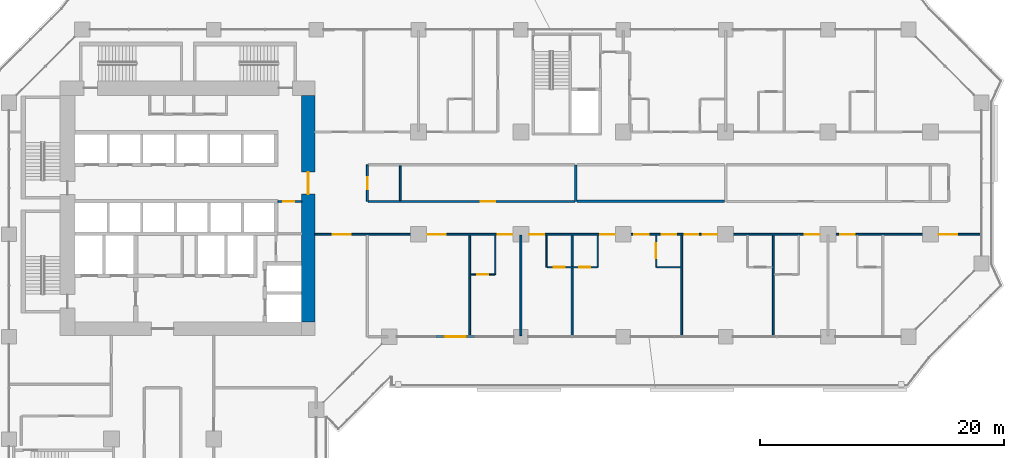
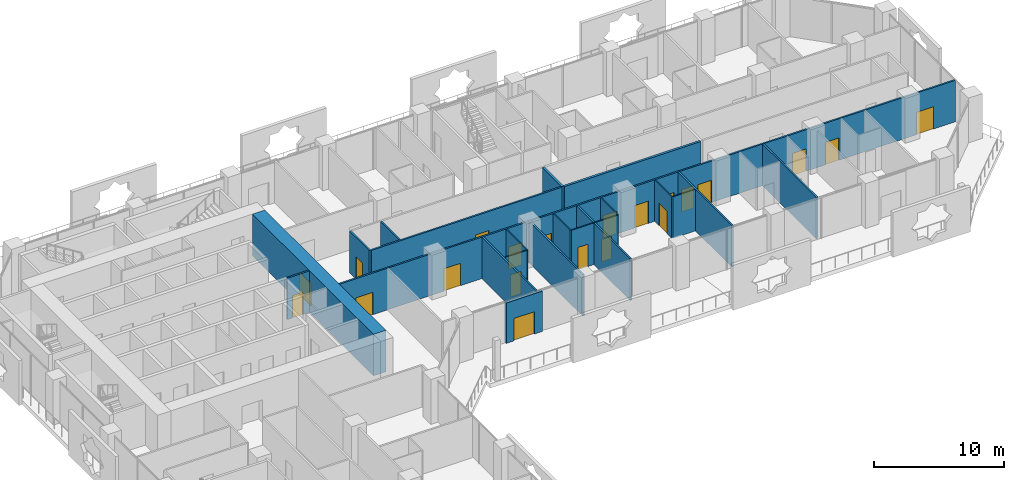
# One storey, part 16 of 26: 21 doors, 21 walls, 21 openings.
"""IFC4 building model written with IfcOpenShell, lengths in metres."""

from ifc_helpers import new_model, si_unit, direction, frame, frame_2d, origin, place, context, subcontext, project, spatial, rectangle, extrude, material, layer, layer_set, type_object, element, fill, save


model = new_model("IFC4")

# Units and contexts
model_context = context("Model", 3, precision=1e-05, world=origin(), true_north=direction((0.0, 1.0)))
body_context = subcontext(model_context, "Body", "Model", "MODEL_VIEW")
ifc_project = project(units=[si_unit("LENGTHUNIT", "METRE"), si_unit("AREAUNIT", "SQUARE_METRE"), si_unit("VOLUMEUNIT", "CUBIC_METRE"), si_unit("PLANEANGLEUNIT", "RADIAN"), si_unit("MASSUNIT", "GRAM", prefix="KILO")], contexts=[model_context])

# Site, building, storey
site_placement = place(None, origin())
site = spatial("IfcSite", under=ifc_project, at=site_placement, CompositionType="ELEMENT")
building_placement = place(site_placement, origin())
building = spatial("IfcBuilding", under=site, at=building_placement, Name="Kawkab Arch Medical Tower", CompositionType="ELEMENT")
storey_placement = place(building_placement, frame((0.0, 0.0, 51.800048828125)))
storey = spatial("IfcBuildingStorey", under=building, at=storey_placement, Name="L11", CompositionType="ELEMENT", Elevation=51.800048828125)

# Wall, opening, door
ifc_material_1 = material(Name="Concrete C60/75", Category="concrete")
ifc_layer_1 = layer(ifc_material_1, 1.10009765625)
ifc_layer_set_1 = layer_set([ifc_layer_1], Name="Concrete C60/75")
wall_type_1 = type_object("IfcWallType", Name="Core ring wall 1100 C60/75", PredefinedType="SHEAR", material=ifc_layer_set_1)
wall_1_placement = place(storey_placement, frame((24.550048828125, -24.0, 0.0), z_axis=(0.0, 0.0, 1.0), x_axis=(0.0, 1.0, 0.0)))
wall_1 = element("IfcWall", 1, at=wall_1_placement, inside=storey, type_object=wall_type_1, Name="L11 core wall", PredefinedType="SHEAR", context=body_context, shape_type="SweptSolid", body=[
    extrude(rectangle(XDim=18.60009765625, YDim=1.10009765625, at=frame_2d((9.300048828125, 0.0))), origin(), (0.0, 0.0, 1.0), 3.89990234375),
])
opening_1_placement = place(wall_1_placement, frame((10.5, 0.0, 0.0)))
opening_1 = element("IfcOpeningElement", 2, at=opening_1_placement, cuts=wall_1, Name="Opening PD", PredefinedType="OPENING", context=body_context, shape_type="SweptSolid", body=[
    extrude(rectangle(XDim=1.800048828125, YDim=2.10009765625, at=frame_2d((0.89990234375, 1.050048828125))), frame((0.0, 0.56005859375, 0.0), z_axis=(0.0, -1.0, 0.0), x_axis=(1.0, 0.0, 0.0)), (0.0, 0.0, 1.0), 1.1201171875),
])
ifc_material_2 = material(Name="Hollow metal fire door leaf")
door_type_1 = type_object("IfcDoorType", Name="Core entrance doors 1800", OperationType="DOUBLE_DOOR_SINGLE_SWING", PredefinedType="DOOR", material=ifc_material_2)
door_1_placement = place(opening_1_placement, origin())
door_1 = element("IfcDoor", 3, at=door_1_placement, inside=storey, type_object=door_type_1, Name="L11 East entrance doors", OperationType="DOUBLE_DOOR_SINGLE_SWING", OverallHeight=2.10009765625, OverallWidth=1.800048828125, PredefinedType="DOOR", context=body_context, shape_type="SweptSolid", body=[
    extrude(rectangle(XDim=1.800048828125, YDim=2.10009765625, at=frame_2d((0.89990234375, 1.050048828125))), frame((0.0, 0.02490234375, 0.0), z_axis=(0.0, -1.0, 0.0), x_axis=(1.0, 0.0, 0.0)), (0.0, 0.0, 1.0), 0.050048828125),
])
fill(opening_1, door_1)

ifc_material_3 = material(Name="Gypsum board on steel studs", Category="steel")
ifc_layer_2 = layer(ifc_material_3, 0.14990234375)
ifc_layer_set_2 = layer_set([ifc_layer_2], Name="Gypsum board on steel studs")
wall_type_2 = type_object("IfcWallType", Name="Core room partition 150", PredefinedType="PARTITIONING", material=ifc_layer_set_2)
wall_2_placement = place(storey_placement, frame((22.050048828125, -14.10009765625, 0.0), z_axis=(0.0, 0.0, 1.0), x_axis=(1.0, 0.0, 0.0)))
wall_2 = element("IfcWall", 4, at=wall_2_placement, inside=storey, type_object=wall_type_2, Name="L11 core room partition", PredefinedType="PARTITIONING", context=body_context, shape_type="SweptSolid", body=[
    extrude(rectangle(XDim=1.949951171875, YDim=0.14990234375, at=frame_2d((0.97509765625, 0.0))), origin(), (0.0, 0.0, 1.0), 3.89990234375),
])
opening_2_placement = place(wall_2_placement, frame((0.449951171875, 0.0, 0.0)))
opening_2 = element("IfcOpeningElement", 5, at=opening_2_placement, cuts=wall_2, Name="Opening RD", PredefinedType="OPENING", context=body_context, shape_type="SweptSolid", body=[
    extrude(rectangle(XDim=0.89990234375, YDim=2.10009765625, at=frame_2d((0.449951171875, 1.050048828125))), frame((0.0, 0.0849609375, 0.0), z_axis=(0.0, -1.0, 0.0), x_axis=(1.0, 0.0, 0.0)), (0.0, 0.0, 1.0), 0.169921875),
])
ifc_material_4 = material(Name="Hollow metal fire door leaf")
door_type_2 = type_object("IfcDoorType", Name="Core room door 900", OperationType="SINGLE_SWING_LEFT", PredefinedType="DOOR", material=ifc_material_4)
door_2_placement = place(opening_2_placement, origin())
door_2 = element("IfcDoor", 6, at=door_2_placement, inside=storey, type_object=door_type_2, Name="L11 Comms room door", OperationType="SINGLE_SWING_LEFT", OverallHeight=2.10009765625, OverallWidth=0.89990234375, PredefinedType="DOOR", context=body_context, shape_type="SweptSolid", body=[
    extrude(rectangle(XDim=0.89990234375, YDim=2.10009765625, at=frame_2d((0.449951171875, 1.050048828125))), frame((0.0, 0.02490234375, 0.0), z_axis=(0.0, -1.0, 0.0), x_axis=(1.0, 0.0, 0.0)), (0.0, 0.0, 1.0), 0.050048828125),
])
fill(opening_2, door_2)

ifc_material_5 = material(Name="Bronze clad insulated wall panel")
ifc_layer_3 = layer(ifc_material_5, 0.25)
ifc_layer_set_3 = layer_set([ifc_layer_3], Name="Bronze clad insulated wall panel")
wall_type_3 = type_object("IfcWallType", Name="External wall bay 250", PredefinedType="SOLIDWALL", material=ifc_layer_set_3)
wall_3_placement = place(storey_placement, frame((35.0166015625, -25.199951171875, 0.0), z_axis=(0.0, 0.0, 1.0), x_axis=(1.0, 0.0, 0.0)))
wall_3 = element("IfcWall", 7, at=wall_3_placement, inside=storey, type_object=wall_type_3, Name="External wall bay L11.R07.1.2", PredefinedType="SOLIDWALL", context=body_context, shape_type="SweptSolid", body=[
    extrude(rectangle(XDim=3.191650390625, YDim=0.25, at=frame_2d((1.595703125, 0.0))), origin(), (0.0, 0.0, 1.0), 3.780029296875),
])
opening_3_placement = place(wall_3_placement, frame((0.69580078125, 0.0, 0.0)))
opening_3 = element("IfcOpeningElement", 8, at=opening_3_placement, cuts=wall_3, Name="Opening W11-701", PredefinedType="OPENING", context=body_context, shape_type="SweptSolid", body=[
    extrude(rectangle(XDim=1.800048828125, YDim=2.10009765625, at=frame_2d((0.89990234375, 1.050048828125))), frame((0.0, 0.135009765625, 0.0), z_axis=(0.0, -1.0, 0.0), x_axis=(1.0, 0.0, 0.0)), (0.0, 0.0, 1.0), 0.27001953125),
])
ifc_material_6 = material(Name="Bronze anodised aluminium door with tinted glass", Category="aluminium")
door_type_3 = type_object("IfcDoorType", Name="Double external door 1800 x 2100", OperationType="DOUBLE_DOOR_SINGLE_SWING", PredefinedType="DOOR", material=ifc_material_6)
door_3_placement = place(opening_3_placement, origin())
door_3 = element("IfcDoor", 9, at=door_3_placement, inside=storey, type_object=door_type_3, Name="External door L11.R07.1.2", OperationType="DOUBLE_DOOR_SINGLE_SWING", OverallHeight=2.10009765625, OverallWidth=1.800048828125, PredefinedType="DOOR", context=body_context, shape_type="SweptSolid", body=[
    extrude(rectangle(XDim=1.800048828125, YDim=2.10009765625, at=frame_2d((0.89990234375, 1.050048828125))), frame((0.0, 0.02490234375, 0.0), z_axis=(0.0, -1.0, 0.0), x_axis=(1.0, 0.0, 0.0)), (0.0, 0.0, 1.0), 0.050048828125),
])
fill(opening_3, door_3)

ifc_material_7 = material(Name="Gypsum board partition on steel studs", Category="steel")
ifc_layer_4 = layer(ifc_material_7, 0.10009765625)
ifc_layer_set_4 = layer_set([ifc_layer_4], Name="Gypsum board partition on steel studs")
wall_type_4 = type_object("IfcWallType", Name="Partition 100", PredefinedType="PARTITIONING", material=ifc_layer_set_4)
wall_4_placement = place(storey_placement, frame((37.875, -20.10009765625, 0.0), z_axis=(0.0, 0.0, 1.0), x_axis=(1.0, 0.0, 0.0)))
wall_4 = element("IfcWall", 10, at=wall_4_placement, inside=storey, type_object=wall_type_4, Name="Partition 100 w010", PredefinedType="PARTITIONING", context=body_context, shape_type="SweptSolid", body=[
    extrude(rectangle(XDim=1.97509765625, YDim=0.10009765625, at=frame_2d((0.987548828125, 0.0))), origin(), (0.0, 0.0, 1.0), 3.89990234375),
])
opening_4_placement = place(wall_4_placement, frame((0.52490234375, 0.0, 0.0)))
opening_4 = element("IfcOpeningElement", 11, at=opening_4_placement, cuts=wall_4, Name="Opening W11-011", PredefinedType="OPENING", context=body_context, shape_type="SweptSolid", body=[
    extrude(rectangle(XDim=0.89990234375, YDim=2.10009765625, at=frame_2d((0.449951171875, 1.050048828125))), frame((0.0, 0.06005859375, 0.0), z_axis=(0.0, -1.0, 0.0), x_axis=(1.0, 0.0, 0.0)), (0.0, 0.0, 1.0), 0.1201171875),
])
ifc_material_8 = material(Name="Timber door leaf", Category="wood")
door_type_4 = type_object("IfcDoorType", Name="Single door 900x2100", OperationType="NOTDEFINED", PredefinedType="DOOR", material=ifc_material_8)
door_4_placement = place(opening_4_placement, origin())
door_4 = element("IfcDoor", 12, at=door_4_placement, inside=storey, type_object=door_type_4, Name="Door W11-011", OperationType="SINGLE_SWING_RIGHT", OverallHeight=2.10009765625, OverallWidth=0.89990234375, PredefinedType="DOOR", context=body_context, shape_type="SweptSolid", body=[
    extrude(rectangle(XDim=0.89990234375, YDim=2.10009765625, at=frame_2d((0.449951171875, 1.050048828125))), frame((0.0, 0.02490234375, 0.0), z_axis=(0.0, -1.0, 0.0), x_axis=(1.0, 0.0, 0.0)), (0.0, 0.0, 1.0), 0.050048828125),
])
fill(opening_4, door_4)

# Wall, openings, doors
wall_5_placement = place(storey_placement, frame((44.14990234375, -19.5, 0.0), z_axis=(0.0, 0.0, 1.0), x_axis=(1.0, 0.0, 0.0)))
wall_5 = element("IfcWall", 13, at=wall_5_placement, inside=storey, type_object=wall_type_4, Name="Partition 100 w012", PredefinedType="PARTITIONING", context=body_context, shape_type="SweptSolid", body=[
    extrude(rectangle(XDim=4.10009765625, YDim=0.10009765625, at=frame_2d((2.050048828125, 0.0))), origin(), (0.0, 0.0, 1.0), 3.89990234375),
])
opening_5_placement = place(wall_5_placement, frame((0.550048828125, 0.0, 0.0)))
opening_5 = element("IfcOpeningElement", 14, at=opening_5_placement, cuts=wall_5, Name="Opening W11-012", PredefinedType="OPENING", context=body_context, shape_type="SweptSolid", body=[
    extrude(rectangle(XDim=0.89990234375, YDim=2.10009765625, at=frame_2d((0.449951171875, 1.050048828125))), frame((0.0, 0.06005859375, 0.0), z_axis=(0.0, -1.0, 0.0), x_axis=(1.0, 0.0, 0.0)), (0.0, 0.0, 1.0), 0.1201171875),
])
opening_6_placement = place(wall_5_placement, frame((2.64990234375, 0.0, 0.0)))
opening_6 = element("IfcOpeningElement", 15, at=opening_6_placement, cuts=wall_5, Name="Opening W11-013", PredefinedType="OPENING", context=body_context, shape_type="SweptSolid", body=[
    extrude(rectangle(XDim=0.89990234375, YDim=2.10009765625, at=frame_2d((0.449951171875, 1.050048828125))), frame((0.0, 0.06005859375, 0.0), z_axis=(0.0, -1.0, 0.0), x_axis=(1.0, 0.0, 0.0)), (0.0, 0.0, 1.0), 0.1201171875),
])
door_5_placement = place(opening_5_placement, origin())
door_5 = element("IfcDoor", 16, at=door_5_placement, inside=storey, type_object=door_type_4, Name="Door W11-012", OperationType="SINGLE_SWING_RIGHT", OverallHeight=2.10009765625, OverallWidth=0.89990234375, PredefinedType="DOOR", context=body_context, shape_type="SweptSolid", body=[
    extrude(rectangle(XDim=0.89990234375, YDim=2.10009765625, at=frame_2d((0.449951171875, 1.050048828125))), frame((0.0, 0.02490234375, 0.0), z_axis=(0.0, -1.0, 0.0), x_axis=(1.0, 0.0, 0.0)), (0.0, 0.0, 1.0), 0.050048828125),
])
fill(opening_5, door_5)
door_6_placement = place(opening_6_placement, origin())
door_6 = element("IfcDoor", 17, at=door_6_placement, inside=storey, type_object=door_type_4, Name="Door W11-013", OperationType="SINGLE_SWING_LEFT", OverallHeight=2.10009765625, OverallWidth=0.89990234375, PredefinedType="DOOR", context=body_context, shape_type="SweptSolid", body=[
    extrude(rectangle(XDim=0.89990234375, YDim=2.10009765625, at=frame_2d((0.449951171875, 1.050048828125))), frame((0.0, 0.02490234375, 0.0), z_axis=(0.0, -1.0, 0.0), x_axis=(1.0, 0.0, 0.0)), (0.0, 0.0, 1.0), 0.050048828125),
])
fill(opening_6, door_6)

# Walls
wall_6_placement = place(storey_placement, frame((53.14990234375, -19.5, 0.0), z_axis=(0.0, 0.0, 1.0), x_axis=(1.0, 0.0, 0.0)))
element("IfcWall", 18, at=wall_6_placement, inside=storey, type_object=wall_type_4, Name="Partition 100 w013", PredefinedType="PARTITIONING", context=body_context, shape_type="SweptSolid", body=[
    extrude(rectangle(XDim=1.97509765625, YDim=0.10009765625, at=frame_2d((0.987548828125, 0.0))), origin(), (0.0, 0.0, 1.0), 3.89990234375),
])
wall_7_placement = place(storey_placement, frame((39.89990234375, -20.10009765625, 0.0), z_axis=(0.0, 0.0, 1.0), x_axis=(0.0, 1.0, 0.0)))
element("IfcWall", 19, at=wall_7_placement, inside=storey, type_object=wall_type_4, Name="Partition 100 w028", PredefinedType="PARTITIONING", context=body_context, shape_type="SweptSolid", body=[
    extrude(rectangle(XDim=3.22509765625, YDim=0.10009765625, at=frame_2d((1.612548828125, 0.0))), origin(), (0.0, 0.0, 1.0), 3.89990234375),
])
for number, where, z_axis, x_axis, name in (
    (20, (44.10009765625, -19.5, 0.0), (0.0, 0.0, 1.0), (0.0, 1.0, 0.0), "Partition 100 w029"),
    (21, (48.300048828125, -19.5, 0.0), (0.0, 0.0, 1.0), (0.0, 1.0, 0.0), "Partition 100 w030"),
):
    element("IfcWall", number, at=place(storey_placement, frame(where, z_axis=z_axis, x_axis=x_axis)), inside=storey, type_object=wall_type_4, Name=name, PredefinedType="PARTITIONING", context=body_context, shape_type="SweptSolid", body=[
        extrude(rectangle(XDim=2.625, YDim=0.10009765625, at=frame_2d((1.3125, 0.0))), origin(), (0.0, 0.0, 1.0), 3.89990234375),
    ])

# Wall, opening, door
wall_8_placement = place(storey_placement, frame((53.10009765625, -19.5, 0.0), z_axis=(0.0, 0.0, 1.0), x_axis=(0.0, 1.0, 0.0)))
wall_8 = element("IfcWall", 22, at=wall_8_placement, inside=storey, type_object=wall_type_4, Name="Partition 100 w032", PredefinedType="PARTITIONING", context=body_context, shape_type="SweptSolid", body=[
    extrude(rectangle(XDim=2.625, YDim=0.10009765625, at=frame_2d((1.3125, 0.0))), origin(), (0.0, 0.0, 1.0), 3.89990234375),
])
opening_7_placement = place(wall_8_placement, frame((0.75, 0.0, 0.0)))
opening_7 = element("IfcOpeningElement", 23, at=opening_7_placement, cuts=wall_8, Name="Opening W11-058", PredefinedType="OPENING", context=body_context, shape_type="SweptSolid", body=[
    extrude(rectangle(XDim=1.199951171875, YDim=2.10009765625, at=frame_2d((0.60009765625, 1.050048828125))), frame((0.0, 0.06005859375, 0.0), z_axis=(0.0, -1.0, 0.0), x_axis=(1.0, 0.0, 0.0)), (0.0, 0.0, 1.0), 0.1201171875),
])
ifc_material_9 = material(Name="Timber door leaf", Category="wood")
door_type_5 = type_object("IfcDoorType", Name="Single door 1200x2100", OperationType="NOTDEFINED", PredefinedType="DOOR", material=ifc_material_9)
door_7_placement = place(opening_7_placement, origin())
door_7 = element("IfcDoor", 24, at=door_7_placement, inside=storey, type_object=door_type_5, Name="Door W11-058", OperationType="SINGLE_SWING_LEFT", OverallHeight=2.10009765625, OverallWidth=1.199951171875, PredefinedType="DOOR", context=body_context, shape_type="SweptSolid", body=[
    extrude(rectangle(XDim=1.199951171875, YDim=2.10009765625, at=frame_2d((0.60009765625, 1.050048828125))), frame((0.0, 0.02490234375, 0.0), z_axis=(0.0, -1.0, 0.0), x_axis=(1.0, 0.0, 0.0)), (0.0, 0.0, 1.0), 0.050048828125),
])
fill(opening_7, door_7)

# Wall, openings, doors
ifc_material_10 = material(Name="Gypsum board partition on steel studs, mineral wool", Category="steel")
ifc_layer_5 = layer(ifc_material_10, 0.14990234375)
ifc_layer_set_5 = layer_set([ifc_layer_5], Name="Gypsum board partition on steel studs, mineral wool")
wall_type_5 = type_object("IfcWallType", Name="Partition 150", PredefinedType="PARTITIONING", material=ifc_layer_set_5)
wall_9_placement = place(storey_placement, frame((25.10009765625, -16.800048828125, 0.0), z_axis=(0.0, 0.0, 1.0), x_axis=(1.0, 0.0, 0.0)))
wall_9 = element("IfcWall", 25, at=wall_9_placement, inside=storey, type_object=wall_type_5, Name="Partition 150 w062", PredefinedType="PARTITIONING", context=body_context, shape_type="SweptSolid", body=[
    extrude(rectangle(XDim=54.619873046875, YDim=0.14990234375, at=frame_2d((27.31005859375, 0.0))), origin(), (0.0, 0.0, 1.0), 3.89990234375),
])
opening_8_placement = place(wall_9_placement, frame((1.449951171875, 0.0, 0.0)))
opening_8 = element("IfcOpeningElement", 26, at=opening_8_placement, cuts=wall_9, Name="Opening W11-001", PredefinedType="OPENING", context=body_context, shape_type="SweptSolid", body=[
    extrude(rectangle(XDim=1.5, YDim=2.10009765625, at=frame_2d((0.75, 1.050048828125))), frame((0.0, 0.0849609375, 0.0), z_axis=(0.0, -1.0, 0.0), x_axis=(1.0, 0.0, 0.0)), (0.0, 0.0, 1.0), 0.169921875),
])
opening_9_placement = place(wall_9_placement, frame((9.25, 0.0, 0.0)))
opening_9 = element("IfcOpeningElement", 27, at=opening_9_placement, cuts=wall_9, Name="Opening W11-003", PredefinedType="OPENING", context=body_context, shape_type="SweptSolid", body=[
    extrude(rectangle(XDim=1.5, YDim=2.10009765625, at=frame_2d((0.75, 1.050048828125))), frame((0.0, 0.0849609375, 0.0), z_axis=(0.0, -1.0, 0.0), x_axis=(1.0, 0.0, 0.0)), (0.0, 0.0, 1.0), 0.169921875),
])
opening_10_placement = place(wall_9_placement, frame((15.0, 0.0, 0.0)))
opening_10 = element("IfcOpeningElement", 28, at=opening_10_placement, cuts=wall_9, Name="Opening W11-053", PredefinedType="OPENING", context=body_context, shape_type="SweptSolid", body=[
    extrude(rectangle(XDim=1.199951171875, YDim=2.10009765625, at=frame_2d((0.60009765625, 1.050048828125))), frame((0.0, 0.0849609375, 0.0), z_axis=(0.0, -1.0, 0.0), x_axis=(1.0, 0.0, 0.0)), (0.0, 0.0, 1.0), 0.169921875),
])
opening_11_placement = place(wall_9_placement, frame((17.60009765625, 0.0, 0.0)))
opening_11 = element("IfcOpeningElement", 29, at=opening_11_placement, cuts=wall_9, Name="Opening W11-054", PredefinedType="OPENING", context=body_context, shape_type="SweptSolid", body=[
    extrude(rectangle(XDim=1.199951171875, YDim=2.10009765625, at=frame_2d((0.60009765625, 1.050048828125))), frame((0.0, 0.0849609375, 0.0), z_axis=(0.0, -1.0, 0.0), x_axis=(1.0, 0.0, 0.0)), (0.0, 0.0, 1.0), 0.169921875),
])
opening_12_placement = place(wall_9_placement, frame((26.199951171875, 0.0, 0.0)))
opening_12 = element("IfcOpeningElement", 30, at=opening_12_placement, cuts=wall_9, Name="Opening W11-055", PredefinedType="OPENING", context=body_context, shape_type="SweptSolid", body=[
    extrude(rectangle(XDim=1.199951171875, YDim=2.10009765625, at=frame_2d((0.60009765625, 1.050048828125))), frame((0.0, 0.0849609375, 0.0), z_axis=(0.0, -1.0, 0.0), x_axis=(1.0, 0.0, 0.0)), (0.0, 0.0, 1.0), 0.169921875),
])
opening_13_placement = place(wall_9_placement, frame((23.39990234375, 0.0, 0.0)))
opening_13 = element("IfcOpeningElement", 31, at=opening_13_placement, cuts=wall_9, Name="Opening W11-056", PredefinedType="OPENING", context=body_context, shape_type="SweptSolid", body=[
    extrude(rectangle(XDim=1.199951171875, YDim=2.10009765625, at=frame_2d((0.60009765625, 1.050048828125))), frame((0.0, 0.0849609375, 0.0), z_axis=(0.0, -1.0, 0.0), x_axis=(1.0, 0.0, 0.0)), (0.0, 0.0, 1.0), 0.169921875),
])
opening_14_placement = place(wall_9_placement, frame((28.449951171875, 0.0, 0.0)))
opening_14 = element("IfcOpeningElement", 32, at=opening_14_placement, cuts=wall_9, Name="Opening W11-057", PredefinedType="OPENING", context=body_context, shape_type="SweptSolid", body=[
    extrude(rectangle(XDim=1.199951171875, YDim=2.10009765625, at=frame_2d((0.60009765625, 1.050048828125))), frame((0.0, 0.0849609375, 0.0), z_axis=(0.0, -1.0, 0.0), x_axis=(1.0, 0.0, 0.0)), (0.0, 0.0, 1.0), 0.169921875),
])
opening_15_placement = place(wall_9_placement, frame((31.800048828125, 0.0, 0.0)))
opening_15 = element("IfcOpeningElement", 33, at=opening_15_placement, cuts=wall_9, Name="Opening W11-059", PredefinedType="OPENING", context=body_context, shape_type="SweptSolid", body=[
    extrude(rectangle(XDim=1.199951171875, YDim=2.10009765625, at=frame_2d((0.60009765625, 1.050048828125))), frame((0.0, 0.0849609375, 0.0), z_axis=(0.0, -1.0, 0.0), x_axis=(1.0, 0.0, 0.0)), (0.0, 0.0, 1.0), 0.169921875),
])
opening_16_placement = place(wall_9_placement, frame((30.35009765625, 0.0, 0.0)))
opening_16 = element("IfcOpeningElement", 34, at=opening_16_placement, cuts=wall_9, Name="Opening W11-041", PredefinedType="OPENING", context=body_context, shape_type="SweptSolid", body=[
    extrude(rectangle(XDim=1.10009765625, YDim=2.10009765625, at=frame_2d((0.550048828125, 1.050048828125))), frame((0.0, 0.0849609375, 0.0), z_axis=(0.0, -1.0, 0.0), x_axis=(1.0, 0.0, 0.0)), (0.0, 0.0, 1.0), 0.169921875),
])
opening_17_placement = place(wall_9_placement, frame((40.199951171875, 0.0, 0.0)))
opening_17 = element("IfcOpeningElement", 35, at=opening_17_placement, cuts=wall_9, Name="Opening W11-060", PredefinedType="OPENING", context=body_context, shape_type="SweptSolid", body=[
    extrude(rectangle(XDim=1.199951171875, YDim=2.10009765625, at=frame_2d((0.60009765625, 1.050048828125))), frame((0.0, 0.0849609375, 0.0), z_axis=(0.0, -1.0, 0.0), x_axis=(1.0, 0.0, 0.0)), (0.0, 0.0, 1.0), 0.169921875),
])
opening_18_placement = place(wall_9_placement, frame((43.10009765625, 0.0, 0.0)))
opening_18 = element("IfcOpeningElement", 36, at=opening_18_placement, cuts=wall_9, Name="Opening W11-061", PredefinedType="OPENING", context=body_context, shape_type="SweptSolid", body=[
    extrude(rectangle(XDim=1.199951171875, YDim=2.10009765625, at=frame_2d((0.60009765625, 1.050048828125))), frame((0.0, 0.0849609375, 0.0), z_axis=(0.0, -1.0, 0.0), x_axis=(1.0, 0.0, 0.0)), (0.0, 0.0, 1.0), 0.169921875),
])
opening_19_placement = place(wall_9_placement, frame((51.199951171875, 0.0, 0.0)))
opening_19 = element("IfcOpeningElement", 37, at=opening_19_placement, cuts=wall_9, Name="Opening W11-004", PredefinedType="OPENING", context=body_context, shape_type="SweptSolid", body=[
    extrude(rectangle(XDim=1.5, YDim=2.10009765625, at=frame_2d((0.75, 1.050048828125))), frame((0.0, 0.0849609375, 0.0), z_axis=(0.0, -1.0, 0.0), x_axis=(1.0, 0.0, 0.0)), (0.0, 0.0, 1.0), 0.169921875),
])
ifc_material_11 = material(Name="Hollow metal door leaf")
door_type_6 = type_object("IfcDoorType", Name="Double door 1500x2100 FD30S", OperationType="NOTDEFINED", PredefinedType="DOOR", material=ifc_material_11)
door_8_placement = place(opening_8_placement, origin())
door_8 = element("IfcDoor", 38, at=door_8_placement, inside=storey, type_object=door_type_6, Name="Door W11-001", OperationType="DOUBLE_DOOR_SINGLE_SWING", OverallHeight=2.10009765625, OverallWidth=1.5, PredefinedType="DOOR", context=body_context, shape_type="SweptSolid", body=[
    extrude(rectangle(XDim=1.5, YDim=2.10009765625, at=frame_2d((0.75, 1.050048828125))), frame((0.0, 0.02490234375, 0.0), z_axis=(0.0, -1.0, 0.0), x_axis=(1.0, 0.0, 0.0)), (0.0, 0.0, 1.0), 0.050048828125),
])
fill(opening_8, door_8)
door_9_placement = place(opening_9_placement, origin())
door_9 = element("IfcDoor", 39, at=door_9_placement, inside=storey, type_object=door_type_6, Name="Door W11-003", OperationType="DOUBLE_DOOR_SINGLE_SWING", OverallHeight=2.10009765625, OverallWidth=1.5, PredefinedType="DOOR", context=body_context, shape_type="SweptSolid", body=[
    extrude(rectangle(XDim=1.5, YDim=2.10009765625, at=frame_2d((0.75, 1.050048828125))), frame((0.0, 0.02490234375, 0.0), z_axis=(0.0, -1.0, 0.0), x_axis=(1.0, 0.0, 0.0)), (0.0, 0.0, 1.0), 0.050048828125),
])
fill(opening_9, door_9)
door_10_placement = place(opening_19_placement, origin())
door_10 = element("IfcDoor", 40, at=door_10_placement, inside=storey, type_object=door_type_6, Name="Door W11-004", OperationType="DOUBLE_DOOR_SINGLE_SWING", OverallHeight=2.10009765625, OverallWidth=1.5, PredefinedType="DOOR", context=body_context, shape_type="SweptSolid", body=[
    extrude(rectangle(XDim=1.5, YDim=2.10009765625, at=frame_2d((0.75, 1.050048828125))), frame((0.0, 0.02490234375, 0.0), z_axis=(0.0, -1.0, 0.0), x_axis=(1.0, 0.0, 0.0)), (0.0, 0.0, 1.0), 0.050048828125),
])
fill(opening_19, door_10)
ifc_material_12 = material(Name="Hollow metal door leaf")
door_type_7 = type_object("IfcDoorType", Name="Single door 1100x2100 FD30S", OperationType="NOTDEFINED", PredefinedType="DOOR", material=ifc_material_12)
door_11_placement = place(opening_16_placement, origin())
door_11 = element("IfcDoor", 41, at=door_11_placement, inside=storey, type_object=door_type_7, Name="Door W11-041", OperationType="SINGLE_SWING_LEFT", OverallHeight=2.10009765625, OverallWidth=1.10009765625, PredefinedType="DOOR", context=body_context, shape_type="SweptSolid", body=[
    extrude(rectangle(XDim=1.10009765625, YDim=2.10009765625, at=frame_2d((0.550048828125, 1.050048828125))), frame((0.0, 0.02490234375, 0.0), z_axis=(0.0, -1.0, 0.0), x_axis=(1.0, 0.0, 0.0)), (0.0, 0.0, 1.0), 0.050048828125),
])
fill(opening_16, door_11)
ifc_material_13 = material(Name="Hollow metal door leaf")
door_type_8 = type_object("IfcDoorType", Name="Single door 1200x2100 FD30S", OperationType="NOTDEFINED", PredefinedType="DOOR", material=ifc_material_13)
door_12_placement = place(opening_10_placement, origin())
door_12 = element("IfcDoor", 42, at=door_12_placement, inside=storey, type_object=door_type_8, Name="Door W11-053", OperationType="SINGLE_SWING_RIGHT", OverallHeight=2.10009765625, OverallWidth=1.199951171875, PredefinedType="DOOR", context=body_context, shape_type="SweptSolid", body=[
    extrude(rectangle(XDim=1.199951171875, YDim=2.10009765625, at=frame_2d((0.60009765625, 1.050048828125))), frame((0.0, 0.02490234375, 0.0), z_axis=(0.0, -1.0, 0.0), x_axis=(1.0, 0.0, 0.0)), (0.0, 0.0, 1.0), 0.050048828125),
])
fill(opening_10, door_12)
door_13_placement = place(opening_11_placement, origin())
door_13 = element("IfcDoor", 43, at=door_13_placement, inside=storey, type_object=door_type_8, Name="Door W11-054", OperationType="SINGLE_SWING_RIGHT", OverallHeight=2.10009765625, OverallWidth=1.199951171875, PredefinedType="DOOR", context=body_context, shape_type="SweptSolid", body=[
    extrude(rectangle(XDim=1.199951171875, YDim=2.10009765625, at=frame_2d((0.60009765625, 1.050048828125))), frame((0.0, 0.02490234375, 0.0), z_axis=(0.0, -1.0, 0.0), x_axis=(1.0, 0.0, 0.0)), (0.0, 0.0, 1.0), 0.050048828125),
])
fill(opening_11, door_13)
door_14_placement = place(opening_12_placement, origin())
door_14 = element("IfcDoor", 44, at=door_14_placement, inside=storey, type_object=door_type_8, Name="Door W11-055", OperationType="SINGLE_SWING_RIGHT", OverallHeight=2.10009765625, OverallWidth=1.199951171875, PredefinedType="DOOR", context=body_context, shape_type="SweptSolid", body=[
    extrude(rectangle(XDim=1.199951171875, YDim=2.10009765625, at=frame_2d((0.60009765625, 1.050048828125))), frame((0.0, 0.02490234375, 0.0), z_axis=(0.0, -1.0, 0.0), x_axis=(1.0, 0.0, 0.0)), (0.0, 0.0, 1.0), 0.050048828125),
])
fill(opening_12, door_14)
door_15_placement = place(opening_13_placement, origin())
door_15 = element("IfcDoor", 45, at=door_15_placement, inside=storey, type_object=door_type_8, Name="Door W11-056", OperationType="SINGLE_SWING_RIGHT", OverallHeight=2.10009765625, OverallWidth=1.199951171875, PredefinedType="DOOR", context=body_context, shape_type="SweptSolid", body=[
    extrude(rectangle(XDim=1.199951171875, YDim=2.10009765625, at=frame_2d((0.60009765625, 1.050048828125))), frame((0.0, 0.02490234375, 0.0), z_axis=(0.0, -1.0, 0.0), x_axis=(1.0, 0.0, 0.0)), (0.0, 0.0, 1.0), 0.050048828125),
])
fill(opening_13, door_15)
door_16_placement = place(opening_14_placement, origin())
door_16 = element("IfcDoor", 46, at=door_16_placement, inside=storey, type_object=door_type_8, Name="Door W11-057", OperationType="SINGLE_SWING_LEFT", OverallHeight=2.10009765625, OverallWidth=1.199951171875, PredefinedType="DOOR", context=body_context, shape_type="SweptSolid", body=[
    extrude(rectangle(XDim=1.199951171875, YDim=2.10009765625, at=frame_2d((0.60009765625, 1.050048828125))), frame((0.0, 0.02490234375, 0.0), z_axis=(0.0, -1.0, 0.0), x_axis=(1.0, 0.0, 0.0)), (0.0, 0.0, 1.0), 0.050048828125),
])
fill(opening_14, door_16)
door_17_placement = place(opening_15_placement, origin())
door_17 = element("IfcDoor", 47, at=door_17_placement, inside=storey, type_object=door_type_8, Name="Door W11-059", OperationType="SINGLE_SWING_LEFT", OverallHeight=2.10009765625, OverallWidth=1.199951171875, PredefinedType="DOOR", context=body_context, shape_type="SweptSolid", body=[
    extrude(rectangle(XDim=1.199951171875, YDim=2.10009765625, at=frame_2d((0.60009765625, 1.050048828125))), frame((0.0, 0.02490234375, 0.0), z_axis=(0.0, -1.0, 0.0), x_axis=(1.0, 0.0, 0.0)), (0.0, 0.0, 1.0), 0.050048828125),
])
fill(opening_15, door_17)
door_18_placement = place(opening_17_placement, origin())
door_18 = element("IfcDoor", 48, at=door_18_placement, inside=storey, type_object=door_type_8, Name="Door W11-060", OperationType="SINGLE_SWING_LEFT", OverallHeight=2.10009765625, OverallWidth=1.199951171875, PredefinedType="DOOR", context=body_context, shape_type="SweptSolid", body=[
    extrude(rectangle(XDim=1.199951171875, YDim=2.10009765625, at=frame_2d((0.60009765625, 1.050048828125))), frame((0.0, 0.02490234375, 0.0), z_axis=(0.0, -1.0, 0.0), x_axis=(1.0, 0.0, 0.0)), (0.0, 0.0, 1.0), 0.050048828125),
])
fill(opening_17, door_18)
door_19_placement = place(opening_18_placement, origin())
door_19 = element("IfcDoor", 49, at=door_19_placement, inside=storey, type_object=door_type_8, Name="Door W11-061", OperationType="SINGLE_SWING_LEFT", OverallHeight=2.10009765625, OverallWidth=1.199951171875, PredefinedType="DOOR", context=body_context, shape_type="SweptSolid", body=[
    extrude(rectangle(XDim=1.199951171875, YDim=2.10009765625, at=frame_2d((0.60009765625, 1.050048828125))), frame((0.0, 0.02490234375, 0.0), z_axis=(0.0, -1.0, 0.0), x_axis=(1.0, 0.0, 0.0)), (0.0, 0.0, 1.0), 0.050048828125),
])
fill(opening_18, door_19)

# Wall, opening, door
wall_10_placement = place(storey_placement, frame((29.47509765625, -14.10009765625, 0.0), z_axis=(0.0, 0.0, 1.0), x_axis=(1.0, 0.0, 0.0)))
wall_10 = element("IfcWall", 50, at=wall_10_placement, inside=storey, type_object=wall_type_5, Name="Partition 150 w063", PredefinedType="PARTITIONING", context=body_context, shape_type="SweptSolid", body=[
    extrude(rectangle(XDim=16.9248046875, YDim=0.14990234375, at=frame_2d((8.46240234375, 0.0))), origin(), (0.0, 0.0, 1.0), 3.89990234375),
])
opening_20_placement = place(wall_10_placement, frame((9.22509765625, 0.0, 0.0)))
opening_20 = element("IfcOpeningElement", 51, at=opening_20_placement, cuts=wall_10, Name="Opening W11-051", PredefinedType="OPENING", context=body_context, shape_type="SweptSolid", body=[
    extrude(rectangle(XDim=1.199951171875, YDim=2.10009765625, at=frame_2d((0.60009765625, 1.050048828125))), frame((0.0, 0.0849609375, 0.0), z_axis=(0.0, -1.0, 0.0), x_axis=(1.0, 0.0, 0.0)), (0.0, 0.0, 1.0), 0.169921875),
])
door_20_placement = place(opening_20_placement, origin())
door_20 = element("IfcDoor", 52, at=door_20_placement, inside=storey, type_object=door_type_8, Name="Door W11-051", OperationType="SINGLE_SWING_RIGHT", OverallHeight=2.10009765625, OverallWidth=1.199951171875, PredefinedType="DOOR", context=body_context, shape_type="SweptSolid", body=[
    extrude(rectangle(XDim=1.199951171875, YDim=2.10009765625, at=frame_2d((0.60009765625, 1.050048828125))), frame((0.0, 0.02490234375, 0.0), z_axis=(0.0, -1.0, 0.0), x_axis=(1.0, 0.0, 0.0)), (0.0, 0.0, 1.0), 0.050048828125),
])
fill(opening_20, door_20)

wall_11_placement = place(storey_placement, frame((29.39990234375, -14.10009765625, 0.0), z_axis=(0.0, 0.0, 1.0), x_axis=(0.0, 1.0, 0.0)))
wall_11 = element("IfcWall", 53, at=wall_11_placement, inside=storey, type_object=wall_type_5, Name="Partition 150 w081", PredefinedType="PARTITIONING", context=body_context, shape_type="SweptSolid", body=[
    extrude(rectangle(XDim=3.0, YDim=0.14990234375, at=frame_2d((1.5, 0.0))), origin(), (0.0, 0.0, 1.0), 3.89990234375),
])
opening_21_placement = place(wall_11_placement, frame((1.0, 0.0, 0.0)))
opening_21 = element("IfcOpeningElement", 54, at=opening_21_placement, cuts=wall_11, Name="Opening W11-028", PredefinedType="OPENING", context=body_context, shape_type="SweptSolid", body=[
    extrude(rectangle(XDim=1.0, YDim=2.10009765625, at=frame_2d((0.5, 1.050048828125))), frame((0.0, 0.0849609375, 0.0), z_axis=(0.0, -1.0, 0.0), x_axis=(1.0, 0.0, 0.0)), (0.0, 0.0, 1.0), 0.169921875),
])
ifc_material_14 = material(Name="Timber door leaf", Category="wood")
door_type_9 = type_object("IfcDoorType", Name="Single door 1000x2100", OperationType="NOTDEFINED", PredefinedType="DOOR", material=ifc_material_14)
door_21_placement = place(opening_21_placement, origin())
door_21 = element("IfcDoor", 55, at=door_21_placement, inside=storey, type_object=door_type_9, Name="Door W11-028", OperationType="SINGLE_SWING_LEFT", OverallHeight=2.10009765625, OverallWidth=1.0, PredefinedType="DOOR", context=body_context, shape_type="SweptSolid", body=[
    extrude(rectangle(XDim=1.0, YDim=2.10009765625, at=frame_2d((0.5, 1.050048828125))), frame((0.0, 0.02490234375, 0.0), z_axis=(0.0, -1.0, 0.0), x_axis=(1.0, 0.0, 0.0)), (0.0, 0.0, 1.0), 0.050048828125),
])
fill(opening_21, door_21)

# Walls
wall_12_placement = place(storey_placement, frame((32.10009765625, -14.02490234375, 0.0), z_axis=(0.0, 0.0, 1.0), x_axis=(0.0, 1.0, 0.0)))
element("IfcWall", 56, at=wall_12_placement, inside=storey, type_object=wall_type_5, Name="Partition 150 w082", PredefinedType="PARTITIONING", context=body_context, shape_type="SweptSolid", body=[
    extrude(rectangle(XDim=2.849853515625, YDim=0.14990234375, at=frame_2d((1.4248046875, 0.0))), origin(), (0.0, 0.0, 1.0), 3.89990234375),
])
for number, where, z_axis, x_axis, name in (
    (57, (37.800048828125, -25.1201171875, 0.0), (0.0, 0.0, 1.0), (0.0, 1.0, 0.0), "Partition 150 w084"),
    (58, (42.0, -25.1201171875, 0.0), (0.0, 0.0, 1.0), (0.0, 1.0, 0.0), "Partition 150 w088"),
    (59, (46.199951171875, -25.1201171875, 0.0), (0.0, 0.0, 1.0), (0.0, 1.0, 0.0), "Partition 150 w090"),
    (60, (55.199951171875, -25.1201171875, 0.0), (0.0, 0.0, 1.0), (0.0, 1.0, 0.0), "Partition 150 w094"),
    (61, (62.699951171875, -25.1201171875, 0.0), (0.0, 0.0, 1.0), (0.0, 1.0, 0.0), "Partition 150 w096"),
):
    element("IfcWall", number, at=place(storey_placement, frame(where, z_axis=z_axis, x_axis=x_axis)), inside=storey, type_object=wall_type_5, Name=name, PredefinedType="PARTITIONING", context=body_context, shape_type="SweptSolid", body=[
        extrude(rectangle(XDim=8.2451171875, YDim=0.14990234375, at=frame_2d((4.12255859375, 0.0))), origin(), (0.0, 0.0, 1.0), 3.89990234375),
    ])
ifc_material_15 = material(Name="Fire-rated gypsum board partition on steel studs", Category="steel")
ifc_layer_6 = layer(ifc_material_15, 0.199951171875)
ifc_layer_set_6 = layer_set([ifc_layer_6], Name="Fire-rated gypsum board partition on steel studs")
wall_type_6 = type_object("IfcWallType", Name="Protected partition 200", PredefinedType="PARTITIONING", material=ifc_layer_set_6)
wall_13_placement = place(storey_placement, frame((46.60009765625, -14.10009765625, 0.0), z_axis=(0.0, 0.0, 1.0), x_axis=(1.0, 0.0, 0.0)))
element("IfcWall", 62, at=wall_13_placement, inside=storey, type_object=wall_type_6, Name="Protected partition 200 w104", PredefinedType="PARTITIONING", context=body_context, shape_type="SweptSolid", body=[
    extrude(rectangle(XDim=12.099853515625, YDim=0.199951171875, at=frame_2d((6.0498046875, 0.0))), origin(), (0.0, 0.0, 1.0), 3.89990234375),
])
wall_14_placement = place(storey_placement, frame((46.5, -14.10009765625, 0.0), z_axis=(0.0, 0.0, 1.0), x_axis=(0.0, 1.0, 0.0)))
element("IfcWall", 63, at=wall_14_placement, inside=storey, type_object=wall_type_6, Name="Protected partition 200 w106", PredefinedType="PARTITIONING", context=body_context, shape_type="SweptSolid", body=[
    extrude(rectangle(XDim=3.0, YDim=0.199951171875, at=frame_2d((1.5, 0.0))), origin(), (0.0, 0.0, 1.0), 3.89990234375),
])

save(model, "model.ifc")
